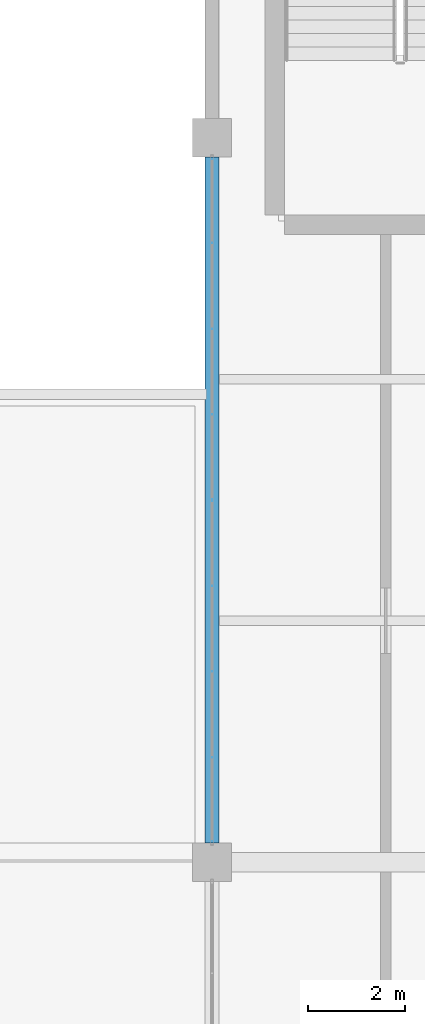
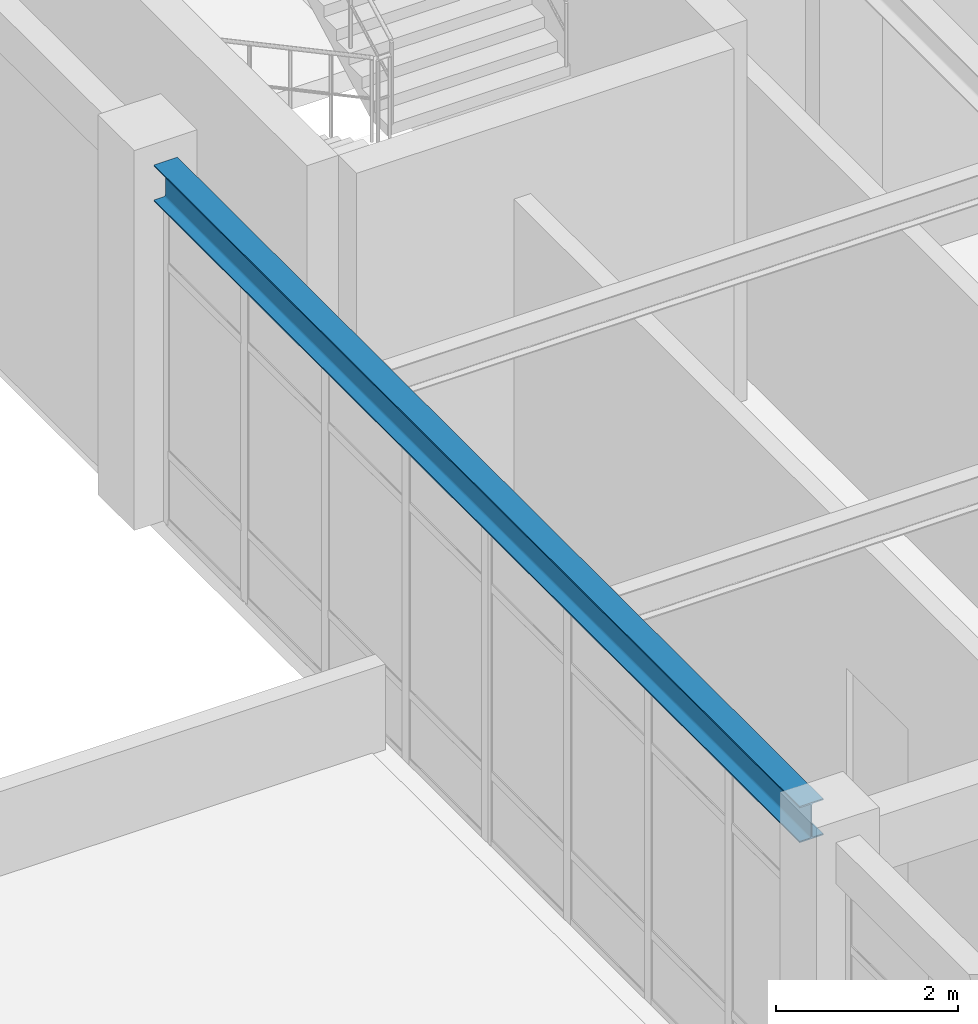
# One storey, part 26 of 124: 1 beam.
"""IFC4 building model written with IfcOpenShell, lengths in metres."""

from ifc_helpers import new_model, si_unit, derived_unit, direction, frame, origin, origin_2d, place, context, subcontext, project, spatial, i_section, extrude, material, material_profile, profile_set, type_object, element, save


model = new_model("IFC4")

# Units and contexts
model_context = context("Model", 3, precision=1e-05, world=origin(), true_north=direction((0.0, 1.0)))
body_context = subcontext(model_context, "Body", "Model", "MODEL_VIEW")
ifc_project = project(units=[si_unit("LENGTHUNIT", "METRE"), si_unit("AREAUNIT", "SQUARE_METRE"), si_unit("VOLUMEUNIT", "CUBIC_METRE"), si_unit("PLANEANGLEUNIT", "RADIAN"), si_unit("MASSUNIT", "GRAM", prefix="KILO"), derived_unit("THERMALTRANSMITTANCEUNIT", [(si_unit("MASSUNIT", "GRAM", prefix="KILO"), 1), (si_unit("TIMEUNIT", "SECOND"), -3), (si_unit("THERMODYNAMICTEMPERATUREUNIT", "KELVIN"), -1)])], contexts=[model_context])

# Site, building, storey
site_placement = place(None, origin())
site = spatial("IfcSite", under=ifc_project, at=site_placement, CompositionType="ELEMENT")
building_placement = place(site_placement, origin())
building = spatial("IfcBuilding", under=site, at=building_placement, Name="Qinzheling Arcade Emporium", CompositionType="ELEMENT")
storey_placement = place(building_placement, frame((0.0, 0.0, 16.5)))
storey = spatial("IfcBuildingStorey", under=building, at=storey_placement, Name="L04", CompositionType="ELEMENT", Elevation=16.5)

# Beam
ifc_material = material(Name="Structural steel Q355B", Category="steel")
ifc_material_profile = material_profile(ifc_material, i_section(OverallWidth=0.300048828125, OverallDepth=0.488037109375, WebThickness=0.010986328125, FlangeThickness=0.01806640625, FilletRadius=0.02197265625, at=origin_2d()), Name="HM 488x300x11x18", Category="steel")
ifc_profile_set = profile_set([ifc_material_profile], Name="Structural steel Q355B")
beam_type = type_object("IfcBeamType", Name="Atrium Bridge Girder HM488 Q355B", PredefinedType="USERDEFINED", material=ifc_profile_set)
beam_placement = place(storey_placement, frame((34.800048828125, 50.800048828125, 4.575927734375), z_axis=(0.0, 1.0, 0.0), x_axis=(-1.0, 0.0, 0.0)))
element("IfcBeam", 1, at=beam_placement, inside=storey, type_object=beam_type, Name="Beam BM-L04-Y-5-G", ObjectType="TRANSFER_GIRDER", PredefinedType="USERDEFINED", context=body_context, shape_type="SweptSolid", body=[
    extrude(i_section(OverallWidth=0.300048828125, OverallDepth=0.488037109375, WebThickness=0.010986328125, FlangeThickness=0.01806640625, FilletRadius=0.02197265625, at=origin_2d()), origin(), (0.0, 0.0, 1.0), 14.199951171875),
])

save(model, "model.ifc")
